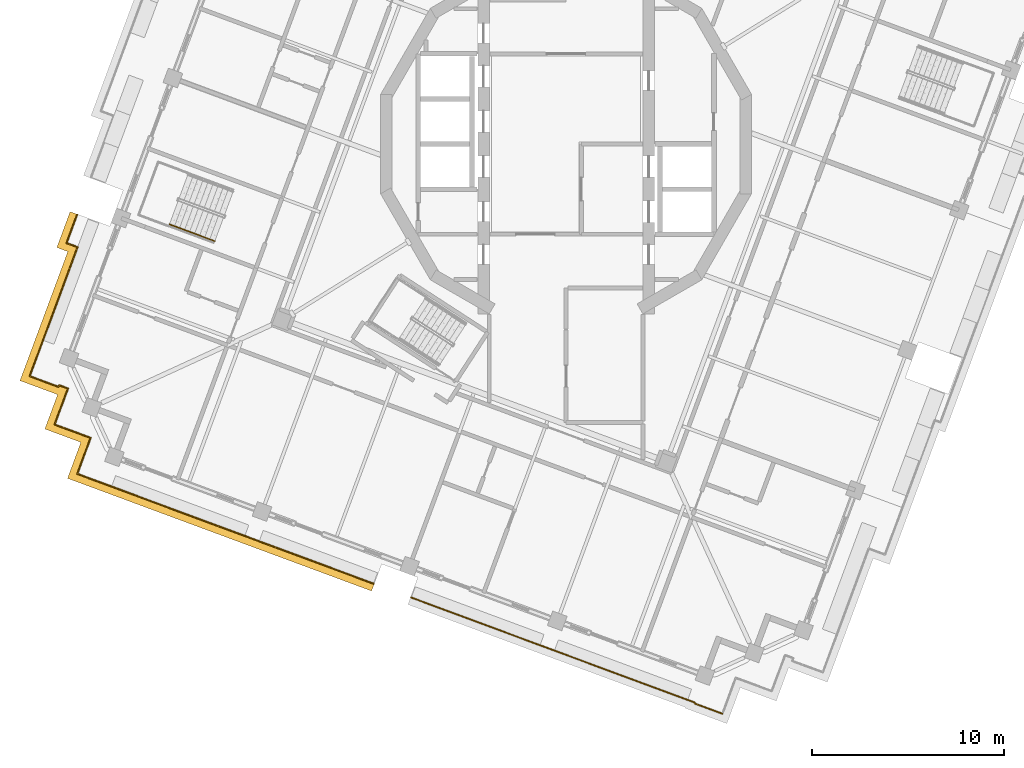
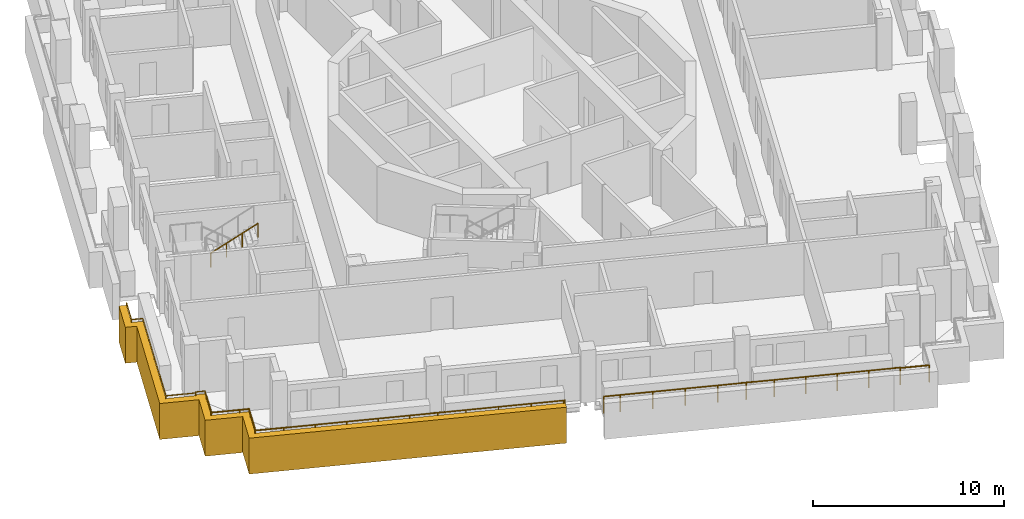
# One storey, part 12 of 19: 4 railings, 1 covering.
"""IFC4 building model written with IfcOpenShell, lengths in metres."""

from ifc_helpers import new_model, si_unit, direction, frame, origin, origin_2d, place, context, subcontext, project, spatial, polyline, circle, outline, extrude, material, type_object, element, save


model = new_model("IFC4")

# Units and contexts
model_context = context("Model", 3, precision=1e-05, world=origin(), true_north=direction((0.0, 1.0)))
body_context = subcontext(model_context, "Body", "Model", "MODEL_VIEW")
ifc_project = project(units=[si_unit("LENGTHUNIT", "METRE"), si_unit("AREAUNIT", "SQUARE_METRE"), si_unit("VOLUMEUNIT", "CUBIC_METRE"), si_unit("PLANEANGLEUNIT", "RADIAN"), si_unit("MASSUNIT", "GRAM", prefix="KILO")], contexts=[model_context])

# Site, building, storey
site_placement = place(None, origin())
site = spatial("IfcSite", under=ifc_project, at=site_placement, CompositionType="ELEMENT")
building_placement = place(site_placement, origin())
building = spatial("IfcBuilding", under=site, at=building_placement, Name="Cantera Rosa Tower", CompositionType="ELEMENT")
storey_placement = place(building_placement, frame((0.0, 0.0, 327.699951171875)))
storey = spatial("IfcBuildingStorey", under=building, at=storey_placement, Name="L73", CompositionType="ELEMENT", Elevation=327.699951171875)

# Railings
ifc_material_1 = material(Name="Stainless steel and laminated glass", Category="steel")
railing_type_1 = type_object("IfcRailingType", Name="GUARD 1100", PredefinedType="BALUSTRADE", material=ifc_material_1)
railing_1_placement = place(storey_placement, frame((-26.113525390625, -13.198486328125, 0.0)))
element("IfcRailing", 1, at=railing_1_placement, inside=storey, type_object=railing_type_1, Name="GUARD L73-1", PredefinedType="BALUSTRADE", context=body_context, shape_type="SweptSolid", body=[
    extrude(circle(Radius=0.030029296875, at=origin_2d()), frame((0.0, 0.0, 1.070068359375), z_axis=(0.347696042931, 0.937607306781, 0.0), x_axis=(-0.937607306781, 0.347696042931, 0.0)), (0.0, 0.0, 1.0), 0.5),
    extrude(circle(Radius=0.030029296875, at=origin_2d()), frame((0.173828125, 0.46875, 1.070068359375), z_axis=(-0.937607306781, 0.347696042931, 0.0), x_axis=(-0.347696042931, -0.937607306781, 0.0)), (0.0, 0.0, 1.0), 0.5),
    extrude(circle(Radius=0.030029296875, at=origin_2d()), frame((-0.294921875, 0.642578125, 1.070068359375), z_axis=(-0.348733712021, -0.937221851058, 0.0), x_axis=(0.937221851058, -0.348733712021, 0.0)), (0.0, 0.0, 1.0), 0.089599609375),
    extrude(circle(Radius=0.030029296875, at=origin_2d()), frame((-0.326171875, 0.55859375, 1.070068359375), z_axis=(-0.937704286129, 0.347434413632, 0.0), x_axis=(-0.347434413632, -0.937704286129, 0.0)), (0.0, 0.0, 1.0), 1.589599609375),
    extrude(circle(Radius=0.030029296875, at=origin_2d()), frame((-1.816650390625, 1.11083984375, 1.070068359375), z_axis=(0.347478495795, 0.937687951805, 0.0), x_axis=(-0.937687951805, 0.347478495795, 0.0)), (0.0, 0.0, 1.0), 7.16943359375),
    extrude(circle(Radius=0.030029296875, at=origin_2d()), frame((0.674560546875, 7.83349609375, 1.070068359375), z_axis=(-0.937734294908, 0.347353411029, 0.0), x_axis=(-0.347353411029, -0.937734294908, 0.0)), (0.0, 0.0, 1.0), 0.61083984375),
    extrude(circle(Radius=0.030029296875, at=origin_2d()), frame((0.101806640625, 8.045654296875, 1.070068359375), z_axis=(0.347491582396, 0.937683102207, 0.0), x_axis=(-0.937683102207, 0.347491582396, 0.0)), (0.0, 0.0, 1.0), 1.5703125),
    extrude(circle(Radius=0.02490234375, at=origin_2d()), origin(), (0.0, 0.0, 1.0), 1.0400390625),
    extrude(circle(Radius=0.02490234375, at=origin_2d()), frame((0.173828125, 0.46875, 0.0)), (0.0, 0.0, 1.0), 1.0400390625),
    extrude(circle(Radius=0.02490234375, at=origin_2d()), frame((-0.294921875, 0.642578125, 0.0)), (0.0, 0.0, 1.0), 1.0400390625),
    extrude(circle(Radius=0.02490234375, at=origin_2d()), frame((-0.326171875, 0.55859375, 0.0)), (0.0, 0.0, 1.0), 1.0400390625),
    extrude(circle(Radius=0.02490234375, at=origin_2d()), frame((-1.816650390625, 1.11083984375, 0.0)), (0.0, 0.0, 1.0), 1.0400390625),
    extrude(circle(Radius=0.02490234375, at=origin_2d()), frame((-1.19384765625, 2.79150390625, 0.0)), (0.0, 0.0, 1.0), 1.0400390625),
    extrude(circle(Radius=0.02490234375, at=origin_2d()), frame((-0.571044921875, 4.47216796875, 0.0)), (0.0, 0.0, 1.0), 1.0400390625),
    extrude(circle(Radius=0.02490234375, at=origin_2d()), frame((0.0517578125, 6.15283203125, 0.0)), (0.0, 0.0, 1.0), 1.0400390625),
    extrude(circle(Radius=0.02490234375, at=origin_2d()), frame((0.674560546875, 7.83349609375, 0.0)), (0.0, 0.0, 1.0), 1.0400390625),
    extrude(circle(Radius=0.02490234375, at=origin_2d()), frame((0.101806640625, 8.045654296875, 0.0)), (0.0, 0.0, 1.0), 1.0400390625),
    extrude(circle(Radius=0.02490234375, at=origin_2d()), frame((0.6474609375, 9.51806640625, 0.0)), (0.0, 0.0, 1.0), 1.0400390625),
])
railing_2_placement = place(storey_placement, frame((-10.010498046875, -22.8984375, 0.0)))
element("IfcRailing", 2, at=railing_2_placement, inside=storey, type_object=railing_type_1, Name="GUARD L73-2", PredefinedType="BALUSTRADE", context=body_context, shape_type="SweptSolid", body=[
    extrude(circle(Radius=0.030029296875, at=origin_2d()), frame((0.0, 0.0, 1.070068359375), z_axis=(-0.937327749542, 0.348448977525, 0.0), x_axis=(-0.348448977525, -0.937327749542, 0.0)), (0.0, 0.0, 1.0), 0.070068359375),
    extrude(circle(Radius=0.030029296875, at=origin_2d()), frame((-0.065673828125, 0.0244140625, 1.070068359375), z_axis=(-0.937688147358, 0.347477968085, 0.0), x_axis=(-0.347477968085, -0.937688147358, 0.0)), (0.0, 0.0, 1.0), 5.199951171875),
    extrude(circle(Radius=0.030029296875, at=origin_2d()), frame((-4.941650390625, 1.831298828125, 1.070068359375), z_axis=(-0.937680024402, 0.347499887537, 0.0), x_axis=(-0.347499887537, -0.937680024402, 0.0)), (0.0, 0.0, 1.0), 3.0),
    extrude(circle(Radius=0.030029296875, at=origin_2d()), frame((-7.754638671875, 2.873779296875, 1.070068359375), z_axis=(-0.937686328856, 0.347482875373, 0.0), x_axis=(-0.347482875373, -0.937686328856, 0.0)), (0.0, 0.0, 1.0), 6.699951171875),
    extrude(circle(Radius=0.030029296875, at=origin_2d()), frame((-14.037109375, 5.201904296875, 1.070068359375), z_axis=(-0.93769967459, 0.347446859641, 0.0), x_axis=(-0.347446859641, -0.93769967459, 0.0)), (0.0, 0.0, 1.0), 1.500244140625),
    extrude(circle(Radius=0.030029296875, at=origin_2d()), frame((-15.44384765625, 5.72314453125, 1.070068359375), z_axis=(0.347499887537, 0.937680024402, 0.0), x_axis=(-0.937680024402, 0.347499887537, 0.0)), (0.0, 0.0, 1.0), 1.5),
    extrude(circle(Radius=0.030029296875, at=origin_2d()), frame((-14.922607421875, 7.129638671875, 1.070068359375), z_axis=(0.347696042931, 0.937607306781, 0.0), x_axis=(-0.937607306781, 0.347696042931, 0.0)), (0.0, 0.0, 1.0), 0.5),
    extrude(circle(Radius=0.030029296875, at=origin_2d()), frame((-14.748779296875, 7.598388671875, 1.070068359375), z_axis=(-0.937607306781, 0.347696042931, 0.0), x_axis=(-0.347696042931, -0.937607306781, 0.0)), (0.0, 0.0, 1.0), 0.5),
    extrude(circle(Radius=0.030029296875, at=origin_2d()), frame((-15.217529296875, 7.772216796875, 1.070068359375), z_axis=(-0.93769967459, 0.347446859641, 0.0), x_axis=(-0.347446859641, -0.93769967459, 0.0)), (0.0, 0.0, 1.0), 1.500244140625),
    extrude(circle(Radius=0.030029296875, at=origin_2d()), frame((-16.624267578125, 8.29345703125, 1.070068359375), z_axis=(0.347499887537, 0.937680024402, 0.0), x_axis=(-0.937680024402, 0.347499887537, 0.0)), (0.0, 0.0, 1.0), 1.5),
    extrude(circle(Radius=0.02490234375, at=origin_2d()), origin(), (0.0, 0.0, 1.0), 1.0400390625),
    extrude(circle(Radius=0.02490234375, at=origin_2d()), frame((-0.065673828125, 0.0244140625, 0.0)), (0.0, 0.0, 1.0), 1.0400390625),
    extrude(circle(Radius=0.02490234375, at=origin_2d()), frame((-1.69091796875, 0.626708984375, 0.0)), (0.0, 0.0, 1.0), 1.0400390625),
    extrude(circle(Radius=0.02490234375, at=origin_2d()), frame((-3.31640625, 1.22900390625, 0.0)), (0.0, 0.0, 1.0), 1.0400390625),
    extrude(circle(Radius=0.02490234375, at=origin_2d()), frame((-4.941650390625, 1.831298828125, 0.0)), (0.0, 0.0, 1.0), 1.0400390625),
    extrude(circle(Radius=0.02490234375, at=origin_2d()), frame((-6.34814453125, 2.3525390625, 0.0)), (0.0, 0.0, 1.0), 1.0400390625),
    extrude(circle(Radius=0.02490234375, at=origin_2d()), frame((-7.754638671875, 2.873779296875, 0.0)), (0.0, 0.0, 1.0), 1.0400390625),
    extrude(circle(Radius=0.02490234375, at=origin_2d()), frame((-9.3251953125, 3.455810546875, 0.0)), (0.0, 0.0, 1.0), 1.0400390625),
    extrude(circle(Radius=0.02490234375, at=origin_2d()), frame((-10.89599609375, 4.037841796875, 0.0)), (0.0, 0.0, 1.0), 1.0400390625),
    extrude(circle(Radius=0.02490234375, at=origin_2d()), frame((-12.466552734375, 4.619873046875, 0.0)), (0.0, 0.0, 1.0), 1.0400390625),
    extrude(circle(Radius=0.02490234375, at=origin_2d()), frame((-14.037109375, 5.201904296875, 0.0)), (0.0, 0.0, 1.0), 1.0400390625),
    extrude(circle(Radius=0.02490234375, at=origin_2d()), frame((-15.44384765625, 5.72314453125, 0.0)), (0.0, 0.0, 1.0), 1.0400390625),
    extrude(circle(Radius=0.02490234375, at=origin_2d()), frame((-14.922607421875, 7.129638671875, 0.0)), (0.0, 0.0, 1.0), 1.0400390625),
    extrude(circle(Radius=0.02490234375, at=origin_2d()), frame((-14.748779296875, 7.598388671875, 0.0)), (0.0, 0.0, 1.0), 1.0400390625),
    extrude(circle(Radius=0.02490234375, at=origin_2d()), frame((-15.217529296875, 7.772216796875, 0.0)), (0.0, 0.0, 1.0), 1.0400390625),
    extrude(circle(Radius=0.02490234375, at=origin_2d()), frame((-16.624267578125, 8.29345703125, 0.0)), (0.0, 0.0, 1.0), 1.0400390625),
    extrude(circle(Radius=0.02490234375, at=origin_2d()), frame((-16.10302734375, 9.699951171875, 0.0)), (0.0, 0.0, 1.0), 1.0400390625),
])
railing_3_placement = place(storey_placement, frame((8.14208984375, -29.674072265625, 0.0)))
element("IfcRailing", 3, at=railing_3_placement, inside=storey, type_object=railing_type_1, Name="GUARD L73-3", PredefinedType="BALUSTRADE", context=body_context, shape_type="SweptSolid", body=[
    extrude(circle(Radius=0.030029296875, at=origin_2d()), frame((0.0, 0.0, 1.070068359375), z_axis=(-0.937710656911, 0.347417218795, 0.0), x_axis=(-0.347417218795, -0.937710656911, 0.0)), (0.0, 0.0, 1.0), 1.5458984375),
    extrude(circle(Radius=0.030029296875, at=origin_2d()), frame((-1.44970703125, 0.537109375, 1.070068359375), z_axis=(0.351123441588, 0.936329177569, 0.0), x_axis=(-0.936329177569, 0.351123441588, 0.0)), (0.0, 0.0, 1.0), 0.0458984375),
    extrude(circle(Radius=0.030029296875, at=origin_2d()), frame((-1.43359375, 0.580078125, 1.070068359375), z_axis=(-0.937686328856, 0.347482875373, 0.0), x_axis=(-0.347482875373, -0.937686328856, 0.0)), (0.0, 0.0, 1.0), 6.699951171875),
    extrude(circle(Radius=0.030029296875, at=origin_2d()), frame((-7.716064453125, 2.908203125, 1.070068359375), z_axis=(-0.93768985062, 0.347473371704, 0.0), x_axis=(-0.347473371704, -0.93768985062, 0.0)), (0.0, 0.0, 1.0), 3.000244140625),
    extrude(circle(Radius=0.030029296875, at=origin_2d()), frame((-10.529296875, 3.95068359375, 1.070068359375), z_axis=(-0.937688147358, 0.347477968085, 0.0), x_axis=(-0.347477968085, -0.937688147358, 0.0)), (0.0, 0.0, 1.0), 5.199951171875),
    extrude(circle(Radius=0.030029296875, at=origin_2d()), frame((-15.4052734375, 5.757568359375, 1.070068359375), z_axis=(-0.937694580373, 0.347460607753, 0.0), x_axis=(-0.347460607753, -0.937694580373, 0.0)), (0.0, 0.0, 1.0), 0.869873046875),
    extrude(circle(Radius=0.02490234375, at=origin_2d()), origin(), (0.0, 0.0, 1.0), 1.0400390625),
    extrude(circle(Radius=0.02490234375, at=origin_2d()), frame((-1.44970703125, 0.537109375, 0.0)), (0.0, 0.0, 1.0), 1.0400390625),
    extrude(circle(Radius=0.02490234375, at=origin_2d()), frame((-1.43359375, 0.580078125, 0.0)), (0.0, 0.0, 1.0), 1.0400390625),
    extrude(circle(Radius=0.02490234375, at=origin_2d()), frame((-3.004150390625, 1.162109375, 0.0)), (0.0, 0.0, 1.0), 1.0400390625),
    extrude(circle(Radius=0.02490234375, at=origin_2d()), frame((-4.57470703125, 1.744140625, 0.0)), (0.0, 0.0, 1.0), 1.0400390625),
    extrude(circle(Radius=0.02490234375, at=origin_2d()), frame((-6.1455078125, 2.326171875, 0.0)), (0.0, 0.0, 1.0), 1.0400390625),
    extrude(circle(Radius=0.02490234375, at=origin_2d()), frame((-7.716064453125, 2.908203125, 0.0)), (0.0, 0.0, 1.0), 1.0400390625),
    extrude(circle(Radius=0.02490234375, at=origin_2d()), frame((-9.12255859375, 3.429443359375, 0.0)), (0.0, 0.0, 1.0), 1.0400390625),
    extrude(circle(Radius=0.02490234375, at=origin_2d()), frame((-10.529296875, 3.95068359375, 0.0)), (0.0, 0.0, 1.0), 1.0400390625),
    extrude(circle(Radius=0.02490234375, at=origin_2d()), frame((-12.154541015625, 4.552978515625, 0.0)), (0.0, 0.0, 1.0), 1.0400390625),
    extrude(circle(Radius=0.02490234375, at=origin_2d()), frame((-13.780029296875, 5.1552734375, 0.0)), (0.0, 0.0, 1.0), 1.0400390625),
    extrude(circle(Radius=0.02490234375, at=origin_2d()), frame((-15.4052734375, 5.757568359375, 0.0)), (0.0, 0.0, 1.0), 1.0400390625),
    extrude(circle(Radius=0.02490234375, at=origin_2d()), frame((-16.220947265625, 6.059814453125, 0.0)), (0.0, 0.0, 1.0), 1.0400390625),
])
ifc_material_2 = material(Name="Steel S355J2 (EN 10025-2)", Category="steel")
railing_type_2 = type_object("IfcRailingType", Name="STAIR HANDRAIL 900", PredefinedType="HANDRAIL", material=ifc_material_2)
railing_4_placement = place(storey_placement, frame((-20.660400390625, -4.181396484375, 1.97998046875)))
element("IfcRailing", 4, at=railing_4_placement, inside=storey, type_object=railing_type_2, Name="L73 ST-63 stair handrail 2", PredefinedType="HANDRAIL", context=body_context, shape_type="SweptSolid", body=[
    extrude(circle(Radius=0.02392578125, at=origin_2d()), frame((0.0, 0.0, 0.8759765625), z_axis=(0.788747577403, -0.292306804437, 0.540771662738), x_axis=(0.347500508527, 0.937679794265, 0.0)), (0.0, 0.0, 1.0), 2.995849609375),
    extrude(circle(Radius=0.02099609375, at=origin_2d()), origin(), (0.0, 0.0, 1.0), 0.851806640625),
    extrude(circle(Radius=0.02099609375, at=origin_2d()), frame((0.78759765625, -0.2919921875, 0.5400390625)), (0.0, 0.0, 1.0), 0.851806640625),
    extrude(circle(Radius=0.02099609375, at=origin_2d()), frame((1.575439453125, -0.583740234375, 1.080078125)), (0.0, 0.0, 1.0), 0.851806640625),
    extrude(circle(Radius=0.02099609375, at=origin_2d()), frame((2.363037109375, -0.875732421875, 1.6201171875)), (0.0, 0.0, 1.0), 0.851806640625),
])

# Covering
ifc_material_3 = material(Name="Cantera stone", Category="masonry")
covering_type = type_object("IfcCoveringType", Name="TRAY FASCIA 400", PredefinedType="CLADDING", material=ifc_material_3)
covering_placement = place(storey_placement, frame((0.0, 0.0, -1.39990234375)))
element("IfcCovering", 5, at=covering_placement, inside=storey, type_object=covering_type, Name="TRAY FASCIA L73-01", PredefinedType="CLADDING", context=body_context, shape_type="SweptSolid", body=[
    extrude(outline(polyline([(-25.953125, -5.60107421875), (-26.525634765625, -5.388916015625), (-25.834228515625, -3.522705078125), (-25.458984375, -3.66162109375), (-26.01171875, -5.15283203125), (-25.43896484375, -5.364990234375), (-27.93017578125, -12.087646484375), (-26.439697265625, -12.639892578125), (-26.408447265625, -12.555908203125), (-25.939697265625, -12.729736328125), (-26.113525390625, -13.198486328125), (-26.634765625, -14.60498046875), (-25.22802734375, -15.126220703125), (-24.75927734375, -15.300048828125), (-24.93310546875, -15.768798828125), (-25.454345703125, -17.17529296875), (-24.047607421875, -17.696533203125), (-17.76513671875, -20.024658203125), (-14.9521484375, -21.067138671875), (-10.076171875, -22.8740234375), (-9.99169921875, -22.9052734375), (-10.130859375, -23.280517578125), (-10.215087890625, -23.2490234375), (-15.091064453125, -21.442138671875), (-17.904296875, -20.39990234375), (-24.186767578125, -18.07177734375), (-25.96826171875, -17.411376953125), (-25.30810546875, -15.6298828125), (-25.2734375, -15.5361328125), (-25.3671875, -15.501220703125), (-27.148681640625, -14.841064453125), (-26.488525390625, -13.0595703125), (-26.48486328125, -13.0498046875), (-28.4443359375, -12.32373046875), (-25.953125, -5.60107421875)])), origin(), (0.0, 0.0, 1.0), 2.300048828125),
])

save(model, "model.ifc")
